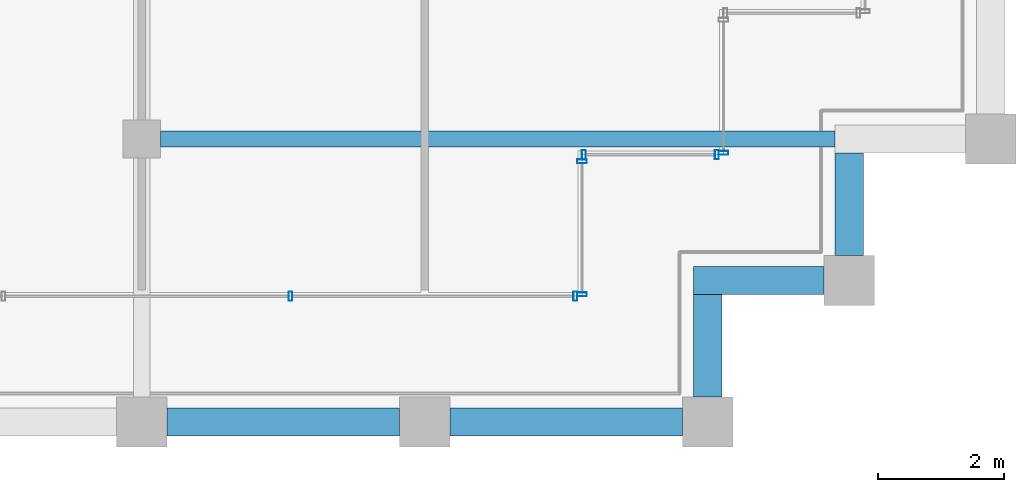
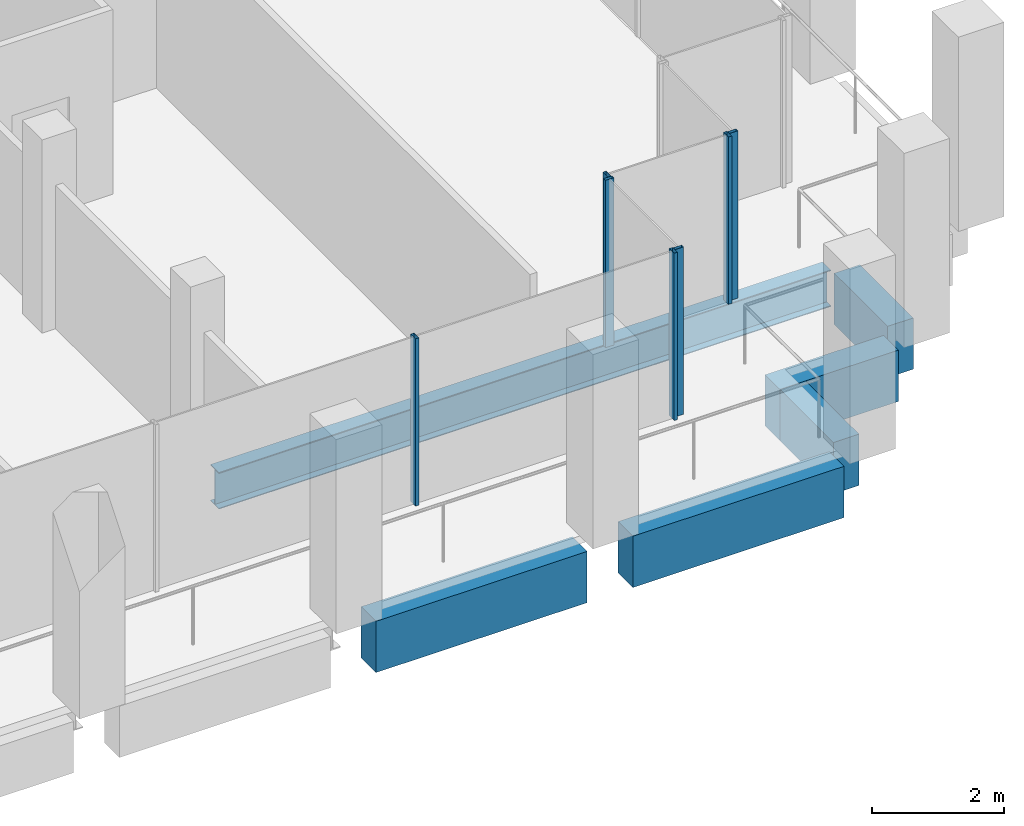
# One storey, part 12 of 30: 7 members, 6 beams, 4 elements without a shape of their own.
"""IFC4 building model written with IfcOpenShell, lengths in metres."""

from ifc_helpers import new_model, si_unit, direction, frame, origin, origin_2d, place, context, subcontext, project, spatial, rectangle, hollow_rectangle, i_section, extrude, material, material_profile, profile_set, type_object, element, aggregate, save


model = new_model("IFC4")

# Units and contexts
model_context = context("Model", 3, precision=1e-05, world=origin(), true_north=direction((0.0, 1.0)))
body_context = subcontext(model_context, "Body", "Model", "MODEL_VIEW")
ifc_project = project(units=[si_unit("LENGTHUNIT", "METRE"), si_unit("AREAUNIT", "SQUARE_METRE"), si_unit("VOLUMEUNIT", "CUBIC_METRE"), si_unit("PLANEANGLEUNIT", "RADIAN"), si_unit("MASSUNIT", "GRAM", prefix="KILO")], contexts=[model_context])

# Site, building, storey
site_placement = place(None, origin())
site = spatial("IfcSite", under=ifc_project, at=site_placement, CompositionType="ELEMENT")
building_placement = place(site_placement, origin())
building = spatial("IfcBuilding", under=site, at=building_placement, Name="Altepetl Exchange Towers", CompositionType="ELEMENT")
storey_placement = place(building_placement, frame((0.0, 0.0, 220.800048828125)))
storey = spatial("IfcBuildingStorey", under=building, at=storey_placement, Name="L56", CompositionType="ELEMENT", Elevation=220.800048828125)

# Beam
ifc_material_1 = material(Name="Steel S355", Category="steel")
ifc_material_profile_1 = material_profile(ifc_material_1, i_section(OverallWidth=0.2529296875, OverallDepth=0.677978515625, WebThickness=0.01171875, FlangeThickness=0.016357421875, at=origin_2d()), Name="W27X84")
ifc_profile_set_1 = profile_set([ifc_material_profile_1], Name="Steel S355")
beam_type_1 = type_object("IfcBeamType", Name="Floor beam W27X84", PredefinedType="BEAM", material=ifc_profile_set_1)
beam_1_placement = place(storey_placement, frame((58.800048828125, 31.5, -0.489013671875), z_axis=(1.0, 0.0, 0.0), x_axis=(0.0, 1.0, 0.0)))
element("IfcBeam", 1, at=beam_1_placement, inside=storey, type_object=beam_type_1, Name="bm:A:L56:006", PredefinedType="BEAM", context=body_context, shape_type="SweptSolid", body=[
    extrude(i_section(OverallWidth=0.2529296875, OverallDepth=0.677978515625, WebThickness=0.01171875, FlangeThickness=0.016357421875, at=origin_2d()), origin(), (0.0, 0.0, 1.0), 10.724853515625),
])

# Curtain wall, members
ifc_material_2 = material(Name="Aluminium 6063-T6 glazing", Category="aluminium")
curtain_wall_type = type_object("IfcCurtainWallType", Name="Loggia glazing system", PredefinedType="NOTDEFINED", material=ifc_material_2)
curtain_wall_1_placement = place(storey_placement, origin())
curtain_wall_1 = element("IfcCurtainWall", 2, at=curtain_wall_1_placement, inside=storey, type_object=curtain_wall_type, Name="CW1 run", PredefinedType="NOTDEFINED")
ifc_material_3 = material(Name="Aluminium 6063-T6", Category="aluminium")
ifc_material_profile_2 = material_profile(ifc_material_3, hollow_rectangle(XDim=0.06005859375, YDim=0.14990234375, WallThickness=0.0029296875, at=origin_2d()), Name="Mullion 60x150 aluminium")
ifc_profile_set_2 = profile_set([ifc_material_profile_2], Name="Aluminium 6063-T6")
member_type = type_object("IfcMemberType", Name="Mullion 60x150 aluminium", PredefinedType="MULLION", material=ifc_profile_set_2)
member_1_placement = place(storey_placement, frame((60.8642578125, 29.0, 0.0)))
member_1 = element("IfcMember", 3, at=member_1_placement, type_object=member_type, Name="MU1 mullion", PredefinedType="MULLION", context=body_context, shape_type="SweptSolid", body=[
    extrude(hollow_rectangle(XDim=0.06005859375, YDim=0.14990234375, WallThickness=0.0029296875, at=origin_2d()), origin(), (0.0, 0.0, 1.0), 3.099853515625),
])
member_2_placement = place(storey_placement, frame((65.39501953125, 29.0, 0.0)))
member_2 = element("IfcMember", 4, at=member_2_placement, type_object=member_type, Name="MU1 mullion", PredefinedType="MULLION", context=body_context, shape_type="SweptSolid", body=[
    extrude(hollow_rectangle(XDim=0.06005859375, YDim=0.14990234375, WallThickness=0.0029296875, at=origin_2d()), origin(), (0.0, 0.0, 1.0), 3.099853515625),
])
aggregate(curtain_wall_1, [member_1, member_2])

curtain_wall_2_placement = place(storey_placement, origin())
curtain_wall_2 = element("IfcCurtainWall", 5, at=curtain_wall_2_placement, inside=storey, type_object=curtain_wall_type, Name="CW1 run", PredefinedType="NOTDEFINED")
member_3_placement = place(storey_placement, frame((65.5, 29.030029296875, 0.0), z_axis=(0.0, 0.0, 1.0), x_axis=(0.0, 1.0, 0.0)))
member_3 = element("IfcMember", 6, at=member_3_placement, type_object=member_type, Name="MU1 mullion", PredefinedType="MULLION", context=body_context, shape_type="SweptSolid", body=[
    extrude(hollow_rectangle(XDim=0.06005859375, YDim=0.14990234375, WallThickness=0.0029296875, at=origin_2d()), origin(), (0.0, 0.0, 1.0), 3.099853515625),
])
member_4_placement = place(storey_placement, frame((65.5, 31.14501953125, 0.0), z_axis=(0.0, 0.0, 1.0), x_axis=(0.0, 1.0, 0.0)))
member_4 = element("IfcMember", 7, at=member_4_placement, type_object=member_type, Name="MU1 mullion", PredefinedType="MULLION", context=body_context, shape_type="SweptSolid", body=[
    extrude(hollow_rectangle(XDim=0.06005859375, YDim=0.14990234375, WallThickness=0.0029296875, at=origin_2d()), origin(), (0.0, 0.0, 1.0), 3.099853515625),
])
aggregate(curtain_wall_2, [member_3, member_4])

curtain_wall_3_placement = place(storey_placement, origin())
curtain_wall_3 = element("IfcCurtainWall", 8, at=curtain_wall_3_placement, inside=storey, type_object=curtain_wall_type, Name="CW1 run", PredefinedType="NOTDEFINED")
member_5_placement = place(storey_placement, frame((65.530029296875, 31.25, 0.0)))
member_5 = element("IfcMember", 9, at=member_5_placement, type_object=member_type, Name="MU1 mullion", PredefinedType="MULLION", context=body_context, shape_type="SweptSolid", body=[
    extrude(hollow_rectangle(XDim=0.06005859375, YDim=0.14990234375, WallThickness=0.0029296875, at=origin_2d()), origin(), (0.0, 0.0, 1.0), 3.099853515625),
])
member_6_placement = place(storey_placement, frame((67.64501953125, 31.25, 0.0)))
member_6 = element("IfcMember", 10, at=member_6_placement, type_object=member_type, Name="MU1 mullion", PredefinedType="MULLION", context=body_context, shape_type="SweptSolid", body=[
    extrude(hollow_rectangle(XDim=0.06005859375, YDim=0.14990234375, WallThickness=0.0029296875, at=origin_2d()), origin(), (0.0, 0.0, 1.0), 3.099853515625),
])
aggregate(curtain_wall_3, [member_5, member_6])

# Curtain wall, member
curtain_wall_4_placement = place(storey_placement, origin())
curtain_wall_4 = element("IfcCurtainWall", 11, at=curtain_wall_4_placement, inside=storey, type_object=curtain_wall_type, Name="CW1 run", PredefinedType="NOTDEFINED")
member_7_placement = place(storey_placement, frame((67.75, 31.280029296875, 0.0), z_axis=(0.0, 0.0, 1.0), x_axis=(0.0, 1.0, 0.0)))
member_7 = element("IfcMember", 12, at=member_7_placement, type_object=member_type, Name="MU1 mullion", PredefinedType="MULLION", context=body_context, shape_type="SweptSolid", body=[
    extrude(hollow_rectangle(XDim=0.06005859375, YDim=0.14990234375, WallThickness=0.0029296875, at=origin_2d()), origin(), (0.0, 0.0, 1.0), 3.099853515625),
])
aggregate(curtain_wall_4, [member_7])

# Beams
ifc_material_4 = material(Name="Concrete C50/60 precast with cantera amarilla facing", Category="concrete")
ifc_material_profile_3 = material_profile(ifc_material_4, rectangle(XDim=0.449951171875, YDim=0.949951171875, at=origin_2d()), Name="450 x 950")
ifc_profile_set_3 = profile_set([ifc_material_profile_3], Name="Concrete C50/60 precast with cantera amarilla facing")
beam_type_2 = type_object("IfcBeamType", Name="Spandrel beam 450x950 cantera amarilla", PredefinedType="SPANDREL", material=ifc_profile_set_3)
for number, where, z_axis, x_axis, name in (
    (13, (58.89990234375, 27.0, -0.625), (1.0, 0.0, 0.0), (0.0, 1.0, 0.0), "sp:A:L56:006"),
    (14, (63.39990234375, 27.0, -0.625), (1.0, 0.0, 0.0), (0.0, 1.0, 0.0), "sp:A:L56:007"),
):
    element("IfcBeam", number, at=place(storey_placement, frame(where, z_axis=z_axis, x_axis=x_axis)), inside=storey, type_object=beam_type_2, Name=name, PredefinedType="SPANDREL", context=body_context, shape_type="SweptSolid", body=[
        extrude(rectangle(XDim=0.449951171875, YDim=0.949951171875, at=origin_2d()), origin(), (0.0, 0.0, 1.0), 3.7001953125),
    ])
beam_2_placement = place(storey_placement, frame((67.5, 27.39990234375, -0.625), z_axis=(0.0, 1.0, 0.0), x_axis=(-1.0, 0.0, 0.0)))
element("IfcBeam", 15, at=beam_2_placement, inside=storey, type_object=beam_type_2, Name="sp:A:L56:008", PredefinedType="SPANDREL", context=body_context, shape_type="SweptSolid", body=[
    extrude(rectangle(XDim=0.449951171875, YDim=0.949951171875, at=origin_2d()), origin(), (0.0, 0.0, 1.0), 1.625),
])
beam_3_placement = place(storey_placement, frame((67.27490234375, 29.25, -0.625), z_axis=(1.0, 0.0, 0.0), x_axis=(0.0, 1.0, 0.0)))
element("IfcBeam", 16, at=beam_3_placement, inside=storey, type_object=beam_type_2, Name="sp:A:L56:009", PredefinedType="SPANDREL", context=body_context, shape_type="SweptSolid", body=[
    extrude(rectangle(XDim=0.449951171875, YDim=0.949951171875, at=origin_2d()), origin(), (0.0, 0.0, 1.0), 2.0751953125),
])
beam_4_placement = place(storey_placement, frame((69.75, 29.64990234375, -0.625), z_axis=(0.0, 1.0, 0.0), x_axis=(-1.0, 0.0, 0.0)))
element("IfcBeam", 17, at=beam_4_placement, inside=storey, type_object=beam_type_2, Name="sp:A:L56:010", PredefinedType="SPANDREL", context=body_context, shape_type="SweptSolid", body=[
    extrude(rectangle(XDim=0.449951171875, YDim=0.949951171875, at=origin_2d()), origin(), (0.0, 0.0, 1.0), 1.625),
])

save(model, "model.ifc")
